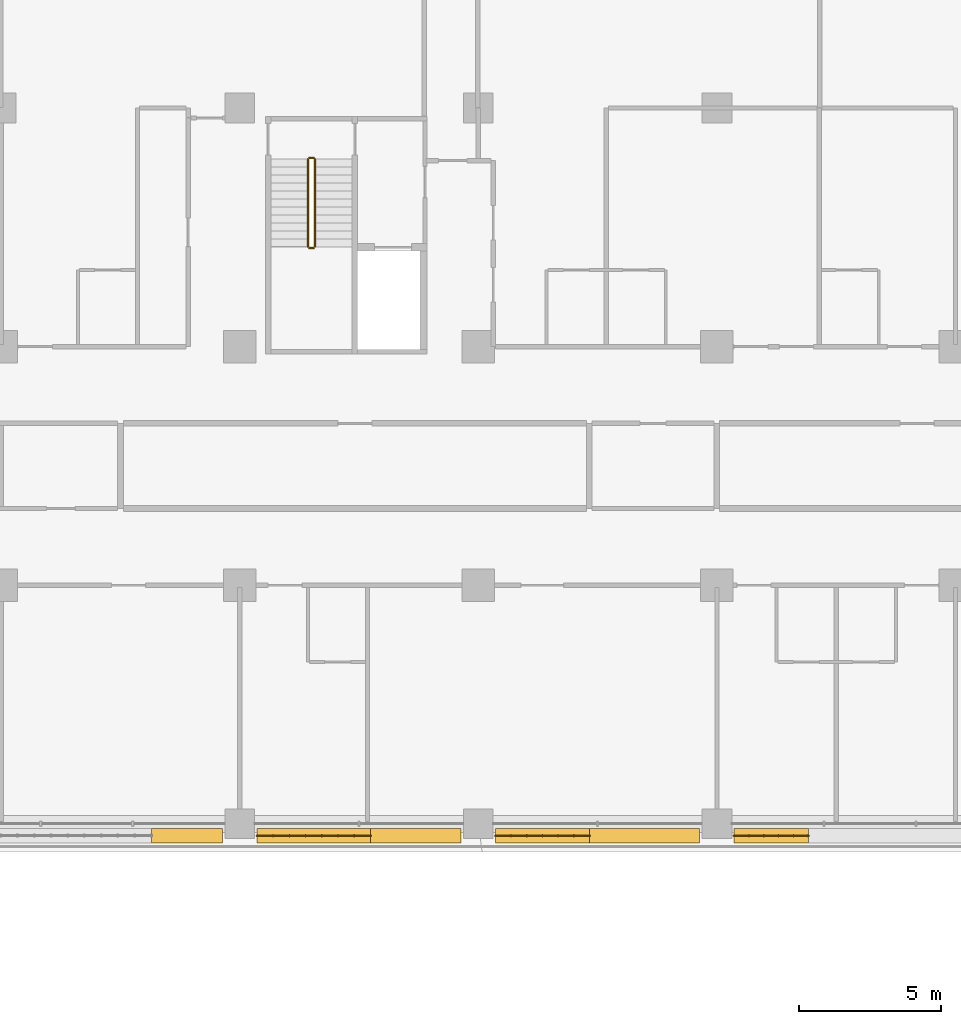
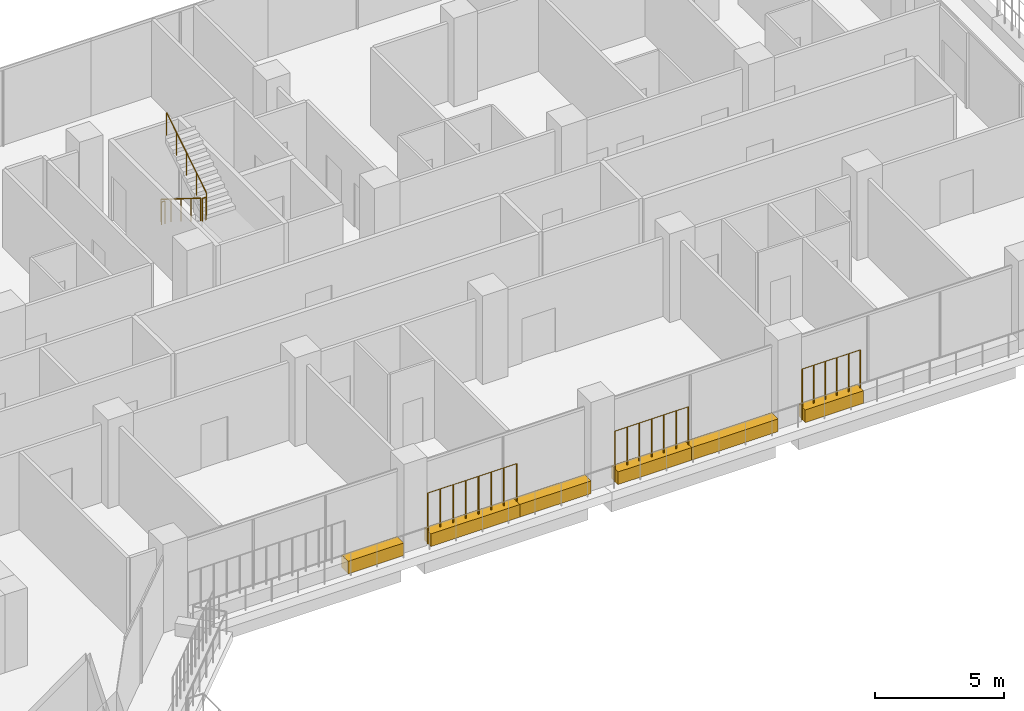
# One storey, part 22 of 23: 7 railings, 6 coverings.
"""IFC4 building model written with IfcOpenShell, lengths in metres."""

from ifc_helpers import new_model, si_unit, direction, frame, origin, origin_2d, place, context, subcontext, project, spatial, rectangle, circle, extrude, material, material_profile, profile_set, type_object, element, save


model = new_model("IFC4")

# Units and contexts
model_context = context("Model", 3, precision=1e-05, world=origin(), true_north=direction((0.0, 1.0)))
body_context = subcontext(model_context, "Body", "Model", "MODEL_VIEW")
ifc_project = project(units=[si_unit("LENGTHUNIT", "METRE"), si_unit("AREAUNIT", "SQUARE_METRE"), si_unit("VOLUMEUNIT", "CUBIC_METRE"), si_unit("PLANEANGLEUNIT", "RADIAN"), si_unit("MASSUNIT", "GRAM", prefix="KILO")], contexts=[model_context])

# Site, building, storey
site_placement = place(None, origin())
site = spatial("IfcSite", under=ifc_project, at=site_placement, CompositionType="ELEMENT")
building_placement = place(site_placement, origin())
building = spatial("IfcBuilding", under=site, at=building_placement, Name="Kawkab Arch Medical Tower", CompositionType="ELEMENT")
storey_placement = place(building_placement, frame((0.0, 0.0, 149.199951171875)))
storey = spatial("IfcBuildingStorey", under=building, at=storey_placement, Name="L34", CompositionType="ELEMENT", Elevation=149.199951171875)

# Coverings
ifc_material_1 = material(Name="Planting soil in a precast trough", Category="concrete")
ifc_material_profile = material_profile(ifc_material_1, rectangle(XDim=0.5, YDim=0.60009765625, at=origin_2d()), Name="Trough 500x600")
ifc_profile_set = profile_set([ifc_material_profile], Name="Planting soil in a precast trough")
covering_type = type_object("IfcCoveringType", Name="Planter trough 500 x 600", PredefinedType="USERDEFINED", material=ifc_profile_set)
covering_1_placement = place(storey_placement, frame((62.01806640625, -25.6201171875, 0.300048828125), z_axis=(-1.0, 0.0, 0.0), x_axis=(0.0, -1.0, 0.0)))
element("IfcCovering", 1, at=covering_1_placement, inside=storey, type_object=covering_type, Name="Planter L34.LOG-01-01.35", ObjectType="PLANTER", PredefinedType="USERDEFINED", context=body_context, shape_type="SweptSolid", body=[
    extrude(rectangle(XDim=0.5, YDim=0.60009765625, at=origin_2d()), origin(), (0.0, 0.0, 1.0), 2.613037109375),
])
covering_2_placement = place(storey_placement, frame((58.195068359375, -25.6201171875, 0.300048828125), z_axis=(-1.0, 0.0, 0.0), x_axis=(0.0, -1.0, 0.0)))
element("IfcCovering", 2, at=covering_2_placement, inside=storey, type_object=covering_type, Name="Planter L34.LOG-01-01.36", ObjectType="PLANTER", PredefinedType="USERDEFINED", context=body_context, shape_type="SweptSolid", body=[
    extrude(rectangle(XDim=0.5, YDim=0.60009765625, at=origin_2d()), origin(), (0.0, 0.0, 1.0), 3.885986328125),
])
covering_3_placement = place(storey_placement, frame((54.30908203125, -25.6201171875, 0.300048828125), z_axis=(-1.0, 0.0, 0.0), x_axis=(0.0, -1.0, 0.0)))
element("IfcCovering", 3, at=covering_3_placement, inside=storey, type_object=covering_type, Name="Planter L34.LOG-01-01.37", ObjectType="PLANTER", PredefinedType="USERDEFINED", context=body_context, shape_type="SweptSolid", body=[
    extrude(rectangle(XDim=0.5, YDim=0.60009765625, at=origin_2d()), origin(), (0.0, 0.0, 1.0), 3.30419921875),
])
covering_4_placement = place(storey_placement, frame((49.794921875, -25.6201171875, 0.300048828125), z_axis=(-1.0, 0.0, 0.0), x_axis=(0.0, -1.0, 0.0)))
element("IfcCovering", 4, at=covering_4_placement, inside=storey, type_object=covering_type, Name="Planter L34.LOG-01-01.38", ObjectType="PLANTER", PredefinedType="USERDEFINED", context=body_context, shape_type="SweptSolid", body=[
    extrude(rectangle(XDim=0.5, YDim=0.60009765625, at=origin_2d()), origin(), (0.0, 0.0, 1.0), 3.19384765625),
])
covering_5_placement = place(storey_placement, frame((46.60107421875, -25.6201171875, 0.300048828125), z_axis=(-1.0, 0.0, 0.0), x_axis=(0.0, -1.0, 0.0)))
element("IfcCovering", 5, at=covering_5_placement, inside=storey, type_object=covering_type, Name="Planter L34.LOG-01-01.39", ObjectType="PLANTER", PredefinedType="USERDEFINED", context=body_context, shape_type="SweptSolid", body=[
    extrude(rectangle(XDim=0.5, YDim=0.60009765625, at=origin_2d()), origin(), (0.0, 0.0, 1.0), 3.99609375),
])
covering_6_placement = place(storey_placement, frame((41.39501953125, -25.6201171875, 0.300048828125), z_axis=(-1.0, 0.0, 0.0), x_axis=(0.0, -1.0, 0.0)))
element("IfcCovering", 6, at=covering_6_placement, inside=storey, type_object=covering_type, Name="Planter L34.LOG-01-01.40", ObjectType="PLANTER", PredefinedType="USERDEFINED", context=body_context, shape_type="SweptSolid", body=[
    extrude(rectangle(XDim=0.5, YDim=0.60009765625, at=origin_2d()), origin(), (0.0, 0.0, 1.0), 2.501953125),
])

# Railings
ifc_material_2 = material(Name="Bronze anodised aluminium trellis for climbing plants", Category="aluminium")
railing_type_1 = type_object("IfcRailingType", Name="Planting trellis 2400", PredefinedType="USERDEFINED", material=ifc_material_2)
railing_1_placement = place(storey_placement, frame((62.01806640625, -25.6201171875, 0.0)))
element("IfcRailing", 7, at=railing_1_placement, inside=storey, type_object=railing_type_1, Name="Planting trellis L34.LOG-01-01.35", ObjectType="TRELLIS", PredefinedType="USERDEFINED", context=body_context, shape_type="SweptSolid", body=[
    extrude(circle(Radius=0.01513671875, at=origin_2d()), frame((0.0, 0.0, 2.384765625), z_axis=(-1.0, 0.0, 0.0), x_axis=(0.0, -1.0, 0.0)), (0.0, 0.0, 1.0), 2.613037109375),
    extrude(circle(Radius=0.030029296875, at=origin_2d()), origin(), (0.0, 0.0, 1.0), 2.369873046875),
    extrude(circle(Radius=0.030029296875, at=origin_2d()), frame((-0.522705078125, 0.0, 0.0)), (0.0, 0.0, 1.0), 2.369873046875),
    extrude(circle(Radius=0.030029296875, at=origin_2d()), frame((-1.045166015625, 0.0, 0.0)), (0.0, 0.0, 1.0), 2.369873046875),
    extrude(circle(Radius=0.030029296875, at=origin_2d()), frame((-1.56787109375, 0.0, 0.0)), (0.0, 0.0, 1.0), 2.369873046875),
    extrude(circle(Radius=0.030029296875, at=origin_2d()), frame((-2.09033203125, 0.0, 0.0)), (0.0, 0.0, 1.0), 2.369873046875),
    extrude(circle(Radius=0.030029296875, at=origin_2d()), frame((-2.613037109375, 0.0, 0.0)), (0.0, 0.0, 1.0), 2.369873046875),
])
railing_2_placement = place(storey_placement, frame((54.30908203125, -25.6201171875, 0.0)))
element("IfcRailing", 8, at=railing_2_placement, inside=storey, type_object=railing_type_1, Name="Planting trellis L34.LOG-01-01.37", ObjectType="TRELLIS", PredefinedType="USERDEFINED", context=body_context, shape_type="SweptSolid", body=[
    extrude(circle(Radius=0.01513671875, at=origin_2d()), frame((0.0, 0.0, 2.384765625), z_axis=(-1.0, 0.0, 0.0), x_axis=(0.0, -1.0, 0.0)), (0.0, 0.0, 1.0), 3.30419921875),
    extrude(circle(Radius=0.030029296875, at=origin_2d()), origin(), (0.0, 0.0, 1.0), 2.369873046875),
    extrude(circle(Radius=0.030029296875, at=origin_2d()), frame((-0.55078125, 0.0, 0.0)), (0.0, 0.0, 1.0), 2.369873046875),
    extrude(circle(Radius=0.030029296875, at=origin_2d()), frame((-1.101318359375, 0.0, 0.0)), (0.0, 0.0, 1.0), 2.369873046875),
    extrude(circle(Radius=0.030029296875, at=origin_2d()), frame((-1.652099609375, 0.0, 0.0)), (0.0, 0.0, 1.0), 2.369873046875),
    extrude(circle(Radius=0.030029296875, at=origin_2d()), frame((-2.202880859375, 0.0, 0.0)), (0.0, 0.0, 1.0), 2.369873046875),
    extrude(circle(Radius=0.030029296875, at=origin_2d()), frame((-2.75341796875, 0.0, 0.0)), (0.0, 0.0, 1.0), 2.369873046875),
    extrude(circle(Radius=0.030029296875, at=origin_2d()), frame((-3.30419921875, 0.0, 0.0)), (0.0, 0.0, 1.0), 2.369873046875),
])
railing_3_placement = place(storey_placement, frame((46.60107421875, -25.6201171875, 0.0)))
element("IfcRailing", 9, at=railing_3_placement, inside=storey, type_object=railing_type_1, Name="Planting trellis L34.LOG-01-01.39", ObjectType="TRELLIS", PredefinedType="USERDEFINED", context=body_context, shape_type="SweptSolid", body=[
    extrude(circle(Radius=0.01513671875, at=origin_2d()), frame((0.0, 0.0, 2.384765625), z_axis=(-1.0, 0.0, 0.0), x_axis=(0.0, -1.0, 0.0)), (0.0, 0.0, 1.0), 3.99609375),
    extrude(circle(Radius=0.030029296875, at=origin_2d()), origin(), (0.0, 0.0, 1.0), 2.369873046875),
    extrude(circle(Radius=0.030029296875, at=origin_2d()), frame((-0.57080078125, 0.0, 0.0)), (0.0, 0.0, 1.0), 2.369873046875),
    extrude(circle(Radius=0.030029296875, at=origin_2d()), frame((-1.141845703125, 0.0, 0.0)), (0.0, 0.0, 1.0), 2.369873046875),
    extrude(circle(Radius=0.030029296875, at=origin_2d()), frame((-1.712646484375, 0.0, 0.0)), (0.0, 0.0, 1.0), 2.369873046875),
    extrude(circle(Radius=0.030029296875, at=origin_2d()), frame((-2.283447265625, 0.0, 0.0)), (0.0, 0.0, 1.0), 2.369873046875),
    extrude(circle(Radius=0.030029296875, at=origin_2d()), frame((-2.854248046875, 0.0, 0.0)), (0.0, 0.0, 1.0), 2.369873046875),
    extrude(circle(Radius=0.030029296875, at=origin_2d()), frame((-3.42529296875, 0.0, 0.0)), (0.0, 0.0, 1.0), 2.369873046875),
    extrude(circle(Radius=0.030029296875, at=origin_2d()), frame((-3.99609375, 0.0, 0.0)), (0.0, 0.0, 1.0), 2.369873046875),
])
ifc_material_3 = material(Name="Stainless steel", Category="steel")
railing_type_2 = type_object("IfcRailingType", Name="Stair guard 1100", PredefinedType="GUARDRAIL", material=ifc_material_3)
railing_4_placement = place(storey_placement, frame((44.39990234375, -1.800048828125, 0.175048828125)))
element("IfcRailing", 10, at=railing_4_placement, inside=storey, type_object=railing_type_2, Name="L34 ST5 stair guard 1", PredefinedType="GUARDRAIL", context=body_context, shape_type="SweptSolid", body=[
    extrude(circle(Radius=0.02392578125, at=origin_2d()), frame((0.0, 0.0, 1.076171875), z_axis=(0.0, -0.847979421464, 0.530029150871), x_axis=(1.0, 0.0, 0.0)), (0.0, 0.0, 1.0), 3.632080078125),
    extrude(circle(Radius=0.02099609375, at=origin_2d()), origin(), (0.0, 0.0, 1.0), 1.052001953125),
    extrude(circle(Radius=0.02099609375, at=origin_2d()), frame((0.0, -0.77001953125, 0.481201171875)), (0.0, 0.0, 1.0), 1.052001953125),
    extrude(circle(Radius=0.02099609375, at=origin_2d()), frame((0.0, -1.5400390625, 0.96240234375)), (0.0, 0.0, 1.0), 1.052001953125),
    extrude(circle(Radius=0.02099609375, at=origin_2d()), frame((0.0, -2.309814453125, 1.44384765625)), (0.0, 0.0, 1.0), 1.052001953125),
    extrude(circle(Radius=0.02099609375, at=origin_2d()), frame((0.0, -3.079833984375, 1.925048828125)), (0.0, 0.0, 1.0), 1.052001953125),
])
railing_5_placement = place(storey_placement, frame((44.449951171875, -4.929931640625, 2.10009765625)))
element("IfcRailing", 11, at=railing_5_placement, inside=storey, type_object=railing_type_2, Name="L34 ST5 stair guard 2", PredefinedType="GUARDRAIL", context=body_context, shape_type="SweptSolid", body=[
    extrude(circle(Radius=0.02392578125, at=origin_2d()), frame((0.0, 0.0, 1.076171875), z_axis=(1.0, 0.0, 0.0), x_axis=(0.0, 1.0, 0.0)), (0.0, 0.0, 1.0), 0.150146484375),
    extrude(circle(Radius=0.02099609375, at=origin_2d()), origin(), (0.0, 0.0, 1.0), 1.052001953125),
    extrude(circle(Radius=0.02099609375, at=origin_2d()), frame((0.150146484375, 0.0, 0.0)), (0.0, 0.0, 1.0), 1.052001953125),
])
railing_6_placement = place(storey_placement, frame((44.64990234375, -4.8798828125, 2.275146484375)))
element("IfcRailing", 12, at=railing_6_placement, inside=storey, type_object=railing_type_2, Name="L34 ST5 stair guard 3", PredefinedType="GUARDRAIL", context=body_context, shape_type="SweptSolid", body=[
    extrude(circle(Radius=0.02392578125, at=origin_2d()), frame((0.0, 0.0, 1.076171875), z_axis=(0.0, 0.848009633417, 0.529980812513), x_axis=(-1.0, 0.0, 0.0)), (0.0, 0.0, 1.0), 3.6318359375),
    extrude(circle(Radius=0.02099609375, at=origin_2d()), origin(), (0.0, 0.0, 1.0), 1.052001953125),
    extrude(circle(Radius=0.02099609375, at=origin_2d()), frame((0.0, 0.77001953125, 0.481201171875)), (0.0, 0.0, 1.0), 1.052001953125),
    extrude(circle(Radius=0.02099609375, at=origin_2d()), frame((0.0, 1.5400390625, 0.96240234375)), (0.0, 0.0, 1.0), 1.052001953125),
    extrude(circle(Radius=0.02099609375, at=origin_2d()), frame((0.0, 2.309814453125, 1.443603515625)), (0.0, 0.0, 1.0), 1.052001953125),
    extrude(circle(Radius=0.02099609375, at=origin_2d()), frame((0.0, 3.079833984375, 1.9248046875)), (0.0, 0.0, 1.0), 1.052001953125),
])
railing_7_placement = place(storey_placement, frame((44.449951171875, -1.75, 0.0)))
element("IfcRailing", 13, at=railing_7_placement, inside=storey, type_object=railing_type_2, Name="L34 ST5 stair guard 4", PredefinedType="GUARDRAIL", context=body_context, shape_type="SweptSolid", body=[
    extrude(circle(Radius=0.02392578125, at=origin_2d()), frame((0.0, 0.0, 1.076171875), z_axis=(1.0, 0.0, 0.0), x_axis=(0.0, 1.0, 0.0)), (0.0, 0.0, 1.0), 0.150146484375),
    extrude(circle(Radius=0.02099609375, at=origin_2d()), origin(), (0.0, 0.0, 1.0), 1.052001953125),
    extrude(circle(Radius=0.02099609375, at=origin_2d()), frame((0.150146484375, 0.0, 0.0)), (0.0, 0.0, 1.0), 1.052001953125),
])

save(model, "model.ifc")
